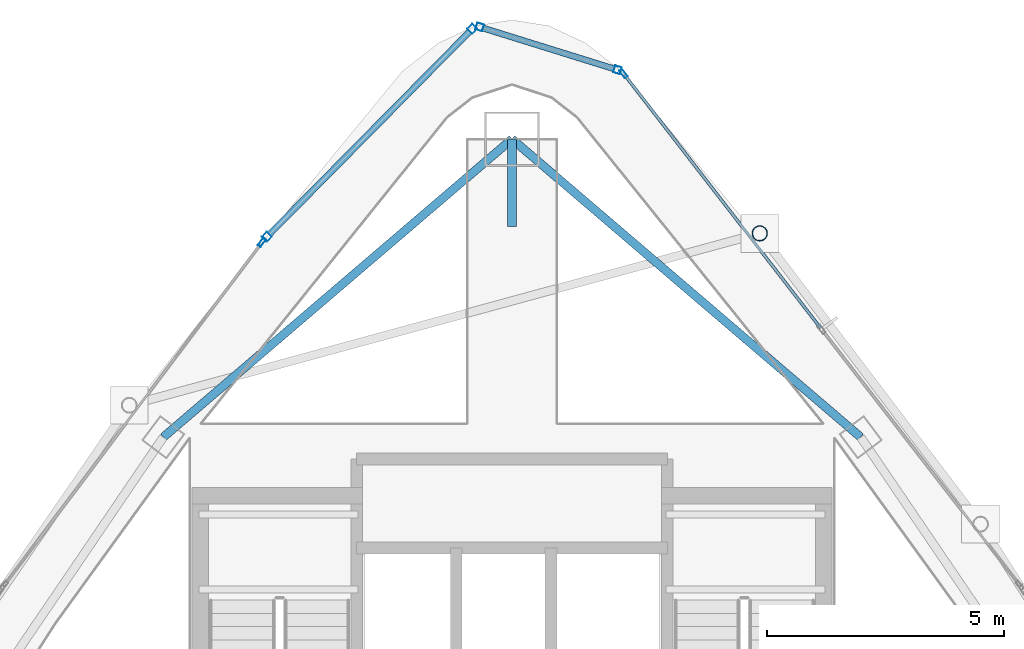
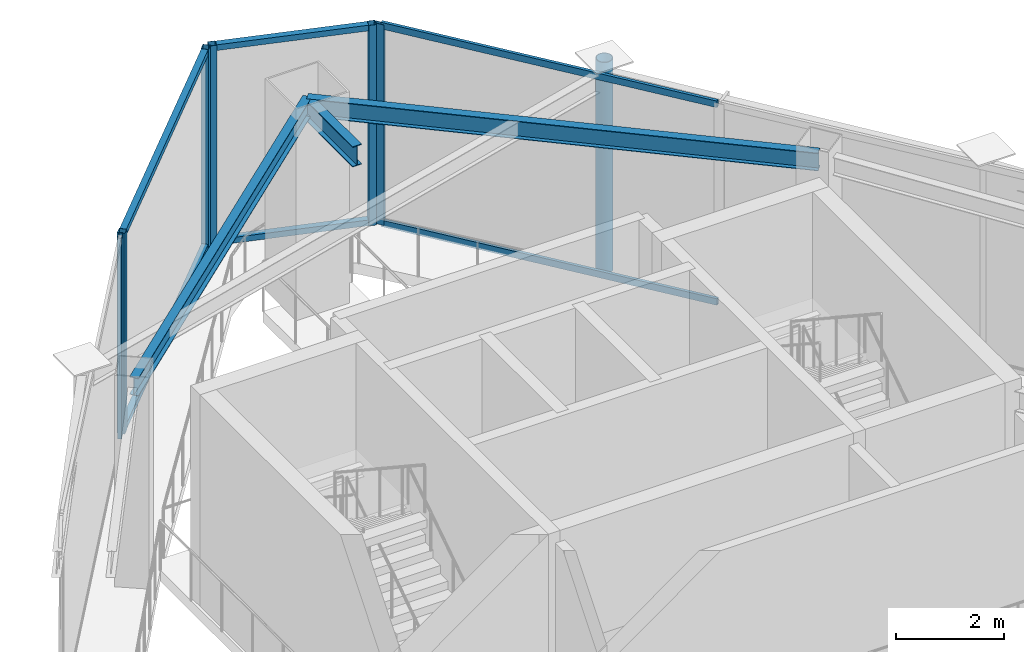
# One storey, part 14 of 19: 13 members, 3 beams, 4 elements without a shape of their own.
"""IFC4 building model written with IfcOpenShell, lengths in metres."""

from ifc_helpers import new_model, si_unit, direction, frame, origin, origin_2d, place, context, subcontext, project, spatial, hollow_rectangle, hollow_circle, i_section, extrude, material, layer, layer_set, material_profile, profile_set, type_object, element, aggregate, save


model = new_model("IFC4")

# Units and contexts
model_context = context("Model", 3, precision=1e-05, world=origin(), true_north=direction((0.0, 1.0)))
body_context = subcontext(model_context, "Body", "Model", "MODEL_VIEW")
ifc_project = project(units=[si_unit("LENGTHUNIT", "METRE"), si_unit("AREAUNIT", "SQUARE_METRE"), si_unit("VOLUMEUNIT", "CUBIC_METRE"), si_unit("PLANEANGLEUNIT", "RADIAN"), si_unit("MASSUNIT", "GRAM", prefix="KILO")], contexts=[model_context])

# Site, building, storey
site_placement = place(None, origin())
site = spatial("IfcSite", under=ifc_project, at=site_placement, CompositionType="ELEMENT")
building_placement = place(site_placement, origin())
building = spatial("IfcBuilding", under=site, at=building_placement, Name="Orvanel Arch Residences", CompositionType="ELEMENT")
storey_placement = place(building_placement, frame((0.0, 0.0, 290.89990234375)))
storey = spatial("IfcBuildingStorey", under=building, at=storey_placement, Name="L82", CompositionType="ELEMENT", Elevation=290.89990234375)

# Beam
ifc_material_1 = material(Name="Structural steel AS/NZS 3679.1 Grade 300 (300 MPa)", Category="steel")
ifc_material_profile_1 = material_profile(ifc_material_1, i_section(OverallWidth=0.19091796875, OverallDepth=0.4599609375, WebThickness=0.010009765625, FlangeThickness=0.01611328125, at=origin_2d()), Name="460UB82.1")
ifc_profile_set_1 = profile_set([ifc_material_profile_1], Name="Structural steel AS/NZS 3679.1 Grade 300 (300 MPa)")
beam_type_1 = type_object("IfcBeamType", Name="BG-460UB", PredefinedType="BEAM", material=ifc_profile_set_1)
beam_placement = place(storey_placement, frame((33.0, 39.550048828125, 4.320068359375), z_axis=(0.0, 1.0, 0.0), x_axis=(-1.0, 0.0, 0.0)))
element("IfcBeam", 1, at=beam_placement, inside=storey, type_object=beam_type_1, Name="L82 North Radial Girder", PredefinedType="BEAM", context=body_context, shape_type="SweptSolid", body=[
    extrude(i_section(OverallWidth=0.19091796875, OverallDepth=0.4599609375, WebThickness=0.010009765625, FlangeThickness=0.01611328125, at=origin_2d()), origin(), (0.0, 0.0, 1.0), 1.847900390625),
])

# Curtain wall, members
ifc_material_2 = material(Name="Bronze-anodised aluminium AA6063-T6", Category="aluminium")
ifc_layer = layer(ifc_material_2, 0.2099609375)
ifc_layer_set = layer_set([ifc_layer], Name="Bronze-anodised aluminium AA6063-T6")
curtain_wall_type = type_object("IfcCurtainWallType", Name="CW7-TOP-SYS", PredefinedType="NOTDEFINED", material=ifc_layer_set)
curtain_wall_1_placement = place(storey_placement, origin())
curtain_wall_1 = element("IfcCurtainWall", 2, at=curtain_wall_1_placement, inside=storey, type_object=curtain_wall_type, Name="L82 CW7-TOP-SYS Unitised Curtain Wall", PredefinedType="NOTDEFINED")
ifc_material_profile_2 = material_profile(ifc_material_2, hollow_rectangle(XDim=0.14990234375, YDim=0.14990234375, WallThickness=0.0048828125, at=origin_2d()), Name="ALU150x150x5")
ifc_profile_set_2 = profile_set([ifc_material_profile_2], Name="Bronze-anodised aluminium AA6063-T6")
member_type_1 = type_object("IfcMemberType", Name="MUL-150x150", PredefinedType="MULLION", material=ifc_profile_set_2)
member_1_placement = place(storey_placement, frame((35.224365234375, 42.856201171875, 0.0), z_axis=(0.0, 0.0, 1.0), x_axis=(-0.297187104186, -0.954819263057, 0.0)))
member_1 = element("IfcMember", 3, at=member_1_placement, type_object=member_type_1, Name="CW-S7 mullion 1", PredefinedType="MULLION", context=body_context, shape_type="SweptSolid", body=[
    extrude(hollow_rectangle(XDim=0.14990234375, YDim=0.14990234375, WallThickness=0.0048828125, at=origin_2d()), origin(), (0.0, 0.0, 1.0), 4.550048828125),
])
member_2_placement = place(storey_placement, frame((32.318603515625, 43.7607421875, 0.0), z_axis=(0.0, 0.0, 1.0), x_axis=(-0.297187104186, -0.954819263057, 0.0)))
member_2 = element("IfcMember", 4, at=member_2_placement, type_object=member_type_1, Name="CW-S7 mullion 2", PredefinedType="MULLION", context=body_context, shape_type="SweptSolid", body=[
    extrude(hollow_rectangle(XDim=0.14990234375, YDim=0.14990234375, WallThickness=0.0048828125, at=origin_2d()), origin(), (0.0, 0.0, 1.0), 4.550048828125),
])

curtain_wall_2_placement = place(storey_placement, origin())
curtain_wall_2 = element("IfcCurtainWall", 5, at=curtain_wall_2_placement, inside=storey, type_object=curtain_wall_type, Name="L82 CW7-TOP-SYS Unitised Curtain Wall", PredefinedType="NOTDEFINED")
member_3_placement = place(storey_placement, frame((32.161376953125, 43.7216796875, 0.0), z_axis=(0.0, 0.0, 1.0), x_axis=(0.71152705503, -0.702658700907, 0.0)))
member_3 = element("IfcMember", 6, at=member_3_placement, type_object=member_type_1, Name="CW-S7 mullion 1", PredefinedType="MULLION", context=body_context, shape_type="SweptSolid", body=[
    extrude(hollow_rectangle(XDim=0.14990234375, YDim=0.14990234375, WallThickness=0.0048828125, at=origin_2d()), origin(), (0.0, 0.0, 1.0), 4.550048828125),
])
member_4_placement = place(storey_placement, frame((27.82958984375, 39.33544921875, 0.0), z_axis=(0.0, 0.0, 1.0), x_axis=(0.71152705503, -0.702658700907, 0.0)))
member_4 = element("IfcMember", 7, at=member_4_placement, type_object=member_type_1, Name="CW-S7 mullion 2", PredefinedType="MULLION", context=body_context, shape_type="SweptSolid", body=[
    extrude(hollow_rectangle(XDim=0.14990234375, YDim=0.14990234375, WallThickness=0.0048828125, at=origin_2d()), origin(), (0.0, 0.0, 1.0), 4.550048828125),
])

# Curtain wall, member
curtain_wall_3_placement = place(storey_placement, origin())
curtain_wall_3 = element("IfcCurtainWall", 8, at=curtain_wall_3_placement, inside=storey, type_object=curtain_wall_type, Name="L82 CW7-TOP-SYS Unitised Curtain Wall", PredefinedType="NOTDEFINED")
ifc_material_profile_3 = material_profile(ifc_material_2, hollow_rectangle(XDim=0.074951171875, YDim=0.199951171875, WallThickness=0.0048828125, at=origin_2d()), Name="ALU200x75x5")
ifc_profile_set_3 = profile_set([ifc_material_profile_3], Name="Bronze-anodised aluminium AA6063-T6")
member_type_2 = type_object("IfcMemberType", Name="MUL-200x75", PredefinedType="MULLION", material=ifc_profile_set_3)
member_5_placement = place(storey_placement, frame((27.728515625, 39.221923828125, 0.0), z_axis=(0.0, 0.0, 1.0), x_axis=(0.799341985759, -0.600876351509, 0.0)))
member_5 = element("IfcMember", 9, at=member_5_placement, type_object=member_type_2, Name="CW-S7 mullion 1", PredefinedType="MULLION", context=body_context, shape_type="SweptSolid", body=[
    extrude(hollow_rectangle(XDim=0.074951171875, YDim=0.199951171875, WallThickness=0.0048828125, at=origin_2d()), origin(), (0.0, 0.0, 1.0), 4.550048828125),
])
aggregate(curtain_wall_3, [member_5])

curtain_wall_4_placement = place(storey_placement, origin())
curtain_wall_4 = element("IfcCurtainWall", 10, at=curtain_wall_4_placement, inside=storey, type_object=curtain_wall_type, Name="L82 CW7-TOP-SYS Unitised Curtain Wall", PredefinedType="NOTDEFINED")
member_6_placement = place(storey_placement, frame((35.349853515625, 42.782470703125, 0.0), z_axis=(0.0, 0.0, 1.0), x_axis=(-0.790656592833, -0.612259873102, 0.0)))
member_6 = element("IfcMember", 11, at=member_6_placement, type_object=member_type_2, Name="CW-S7 mullion 3", PredefinedType="MULLION", context=body_context, shape_type="SweptSolid", body=[
    extrude(hollow_rectangle(XDim=0.074951171875, YDim=0.199951171875, WallThickness=0.0048828125, at=origin_2d()), origin(), (0.0, 0.0, 1.0), 4.550048828125),
])

# Beams
ifc_material_profile_4 = material_profile(ifc_material_1, i_section(OverallWidth=0.177978515625, OverallDepth=0.406005859375, WebThickness=0.0078125, FlangeThickness=0.0126953125, at=origin_2d()), Name="410UB59.7")
ifc_profile_set_4 = profile_set([ifc_material_profile_4], Name="Structural steel AS/NZS 3679.1 Grade 300 (300 MPa)")
beam_type_2 = type_object("IfcBeamType", Name="OB-410UB", PredefinedType="SPANDREL", material=ifc_profile_set_4)
for number, where, z_axis, x_axis, name in (
    (12, (40.35205078125, 35.113037109375, 4.34716796875), (-0.760116518398, 0.649786794617, 0.0), (-0.649786794617, -0.760116518398, 0.0), "L82 Perimeter Spandrel Beam 09"),
    (13, (33.0, 41.39794921875, 4.34716796875), (-0.760116518398, -0.649786794617, 0.0), (0.649786794617, -0.760116518398, 0.0), "L82 Perimeter Spandrel Beam 10"),
):
    element("IfcBeam", number, at=place(storey_placement, frame(where, z_axis=z_axis, x_axis=x_axis)), inside=storey, type_object=beam_type_2, Name=name, PredefinedType="SPANDREL", context=body_context, shape_type="SweptSolid", body=[
        extrude(i_section(OverallWidth=0.177978515625, OverallDepth=0.406005859375, WebThickness=0.0078125, FlangeThickness=0.0126953125, at=origin_2d()), origin(), (0.0, 0.0, 1.0), 9.67236328125),
    ])

# Member
ifc_material_3 = material(Name="Structural steel AS/NZS 1163 C350L0 (Grade 350)", Category="steel")
ifc_material_profile_5 = material_profile(ifc_material_3, hollow_circle(Radius=0.162109375, WallThickness=0.0126953125, at=origin_2d()), Name="CHS324x12.7")
ifc_profile_set_5 = profile_set([ifc_material_profile_5], Name="Structural steel AS/NZS 1163 C350L0 (Grade 350)")
member_type_3 = type_object("IfcMemberType", Name="ST-324CHS-EXT", PredefinedType="STRUT", material=ifc_profile_set_5)
member_7_placement = place(storey_placement, frame((38.22412109375, 39.409912109375, 0.0), z_axis=(0.0, 0.0, 1.0), x_axis=(1.0, 0.0, 0.0)))
element("IfcMember", 14, at=member_7_placement, inside=storey, type_object=member_type_3, Name="L82 Outer Perimeter Frame Post 12", PredefinedType="STRUT", context=body_context, shape_type="SweptSolid", body=[
    extrude(hollow_circle(Radius=0.162109375, WallThickness=0.0126953125, at=origin_2d()), origin(), (0.0, 0.0, 1.0), 4.800048828125),
])

ifc_material_profile_6 = material_profile(ifc_material_2, hollow_rectangle(XDim=0.1298828125, YDim=0.1298828125, WallThickness=0.00439453125, at=origin_2d()), Name="ALU130x130x4.5")
ifc_profile_set_6 = profile_set([ifc_material_profile_6], Name="Bronze-anodised aluminium AA6063-T6")
member_type_4 = type_object("IfcMemberType", Name="TRN-130x130", PredefinedType="USERDEFINED", material=ifc_profile_set_6)
member_8_placement = place(storey_placement, frame((35.15283203125, 42.878662109375, 0.065185546875), z_axis=(-0.954821665977, 0.297179383843, 0.0), x_axis=(-0.297179383843, -0.954821665977, 0.0)))
member_8 = element("IfcMember", 15, at=member_8_placement, type_object=member_type_4, Name="CW-S7 transom 1.1", ObjectType="TRANSOM", PredefinedType="USERDEFINED", context=body_context, shape_type="SweptSolid", body=[
    extrude(hollow_rectangle(XDim=0.1298828125, YDim=0.1298828125, WallThickness=0.00439453125, at=origin_2d()), origin(), (0.0, 0.0, 1.0), 2.893310546875),
])

member_9_placement = place(storey_placement, frame((35.15283203125, 42.878662109375, 4.485107421875), z_axis=(-0.954821665977, 0.297179383843, 0.0), x_axis=(-0.297179383843, -0.954821665977, 0.0)))
member_9 = element("IfcMember", 16, at=member_9_placement, type_object=member_type_4, Name="CW-S7 transom 1.2", ObjectType="TRANSOM", PredefinedType="USERDEFINED", context=body_context, shape_type="SweptSolid", body=[
    extrude(hollow_rectangle(XDim=0.1298828125, YDim=0.1298828125, WallThickness=0.00439453125, at=origin_2d()), origin(), (0.0, 0.0, 1.0), 2.893310546875),
])

aggregate(curtain_wall_1, [member_1, member_2, member_8, member_9])

member_10_placement = place(storey_placement, frame((32.108642578125, 43.668212890625, 0.065185546875), z_axis=(-0.702668534455, -0.711517343912, 0.0), x_axis=(0.711517343912, -0.702668534455, 0.0)))
member_10 = element("IfcMember", 17, at=member_10_placement, type_object=member_type_4, Name="CW-S7 transom 1.1", ObjectType="TRANSOM", PredefinedType="USERDEFINED", context=body_context, shape_type="SweptSolid", body=[
    extrude(hollow_rectangle(XDim=0.1298828125, YDim=0.1298828125, WallThickness=0.00439453125, at=origin_2d()), origin(), (0.0, 0.0, 1.0), 6.0146484375),
])

member_11_placement = place(storey_placement, frame((32.108642578125, 43.668212890625, 4.485107421875), z_axis=(-0.702668534455, -0.711517343912, 0.0), x_axis=(0.711517343912, -0.702668534455, 0.0)))
member_11 = element("IfcMember", 18, at=member_11_placement, type_object=member_type_4, Name="CW-S7 transom 1.2", ObjectType="TRANSOM", PredefinedType="USERDEFINED", context=body_context, shape_type="SweptSolid", body=[
    extrude(hollow_rectangle(XDim=0.1298828125, YDim=0.1298828125, WallThickness=0.00439453125, at=origin_2d()), origin(), (0.0, 0.0, 1.0), 6.0146484375),
])

aggregate(curtain_wall_2, [member_3, member_4, member_10, member_11])

ifc_material_profile_7 = material_profile(ifc_material_2, hollow_rectangle(XDim=0.06494140625, YDim=0.14990234375, WallThickness=0.00390625, at=origin_2d()), Name="ALU150x65x4")
ifc_profile_set_7 = profile_set([ifc_material_profile_7], Name="Bronze-anodised aluminium AA6063-T6")
member_type_5 = type_object("IfcMemberType", Name="TRN-150x65", PredefinedType="USERDEFINED", material=ifc_profile_set_7)
member_12_placement = place(storey_placement, frame((39.506591796875, 37.41455078125, 0.03271484375), z_axis=(-0.61226945959, 0.790649169261, 0.0), x_axis=(-0.790649169261, -0.61226945959, 0.0)))
member_12 = element("IfcMember", 19, at=member_12_placement, type_object=member_type_5, Name="CW-S7 transom 2.1", ObjectType="TRANSOM", PredefinedType="USERDEFINED", context=body_context, shape_type="SweptSolid", body=[
    extrude(hollow_rectangle(XDim=0.06494140625, YDim=0.14990234375, WallThickness=0.00390625, at=origin_2d()), origin(), (0.0, 0.0, 1.0), 6.75146484375),
])

member_13_placement = place(storey_placement, frame((39.506591796875, 37.41455078125, 4.517578125), z_axis=(-0.61226945959, 0.790649169261, 0.0), x_axis=(-0.790649169261, -0.61226945959, 0.0)))
member_13 = element("IfcMember", 20, at=member_13_placement, type_object=member_type_5, Name="CW-S7 transom 2.2", ObjectType="TRANSOM", PredefinedType="USERDEFINED", context=body_context, shape_type="SweptSolid", body=[
    extrude(hollow_rectangle(XDim=0.06494140625, YDim=0.14990234375, WallThickness=0.00390625, at=origin_2d()), origin(), (0.0, 0.0, 1.0), 6.75146484375),
])

aggregate(curtain_wall_4, [member_6, member_12, member_13])

save(model, "model.ifc")
